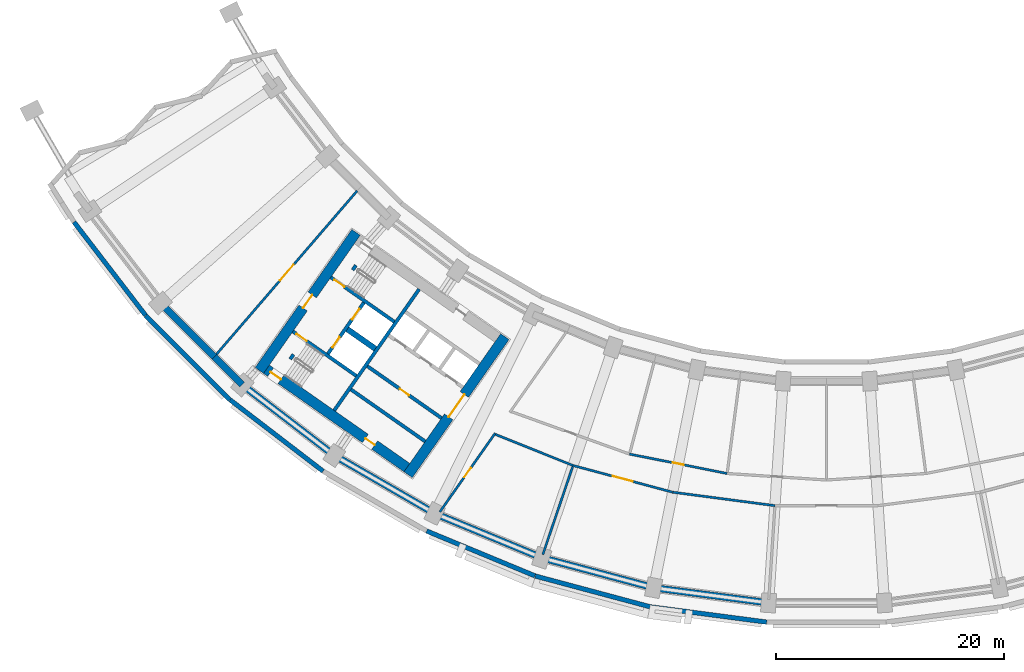
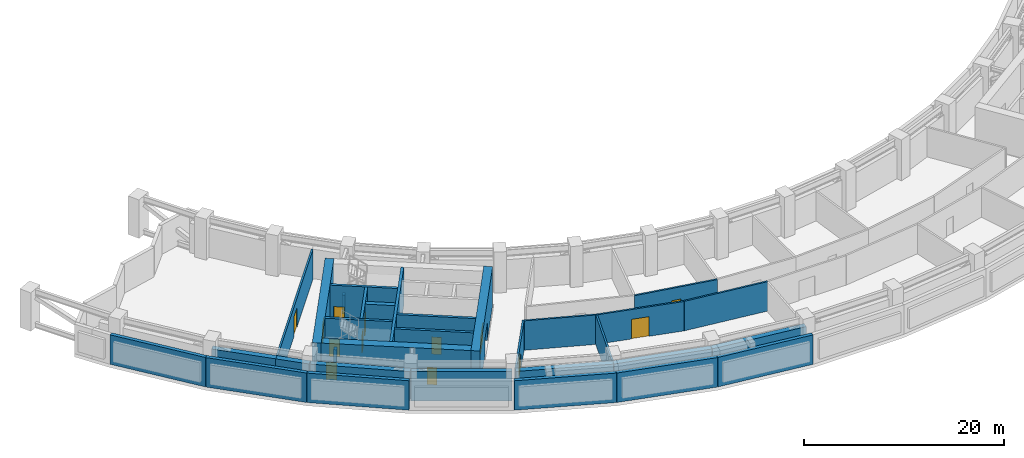
# One storey, part 5 of 25: 32 walls, 13 doors, 13 openings.
"""IFC4 building model written with IfcOpenShell, lengths in metres."""

from ifc_helpers import new_model, si_unit, direction, frame, frame_2d, origin, place, context, subcontext, project, spatial, rectangle, extrude, material, layer, layer_set, type_object, element, fill, save


model = new_model("IFC4")

# Units and contexts
model_context = context("Model", 3, precision=1e-05, world=origin(), true_north=direction((0.0, 1.0)))
body_context = subcontext(model_context, "Body", "Model", "MODEL_VIEW")
ifc_project = project(units=[si_unit("LENGTHUNIT", "METRE"), si_unit("AREAUNIT", "SQUARE_METRE"), si_unit("VOLUMEUNIT", "CUBIC_METRE"), si_unit("PLANEANGLEUNIT", "RADIAN"), si_unit("MASSUNIT", "GRAM", prefix="KILO")], contexts=[model_context])

# Site, building, storey
site_placement = place(None, origin())
site = spatial("IfcSite", under=ifc_project, at=site_placement, CompositionType="ELEMENT")
building_placement = place(site_placement, origin())
building = spatial("IfcBuilding", under=site, at=building_placement, Name="Qamariyya Broadcast Tower", CompositionType="ELEMENT")
storey_placement = place(building_placement, frame((0.0, 0.0, 89.89990234375)))
storey = spatial("IfcBuildingStorey", under=building, at=storey_placement, Name="L19", CompositionType="ELEMENT", Elevation=89.89990234375)

# Wall, opening, door
ifc_material_1 = material(Name="Concrete C70/85", Category="concrete")
ifc_layer_1 = layer(ifc_material_1, 0.89990234375)
ifc_layer_set_1 = layer_set([ifc_layer_1], Name="Core wall 900 mm Concrete C70/85")
wall_type_1 = type_object("IfcWallType", Name="Core wall 900 mm Concrete C70/85", PredefinedType="SHEAR", material=ifc_layer_set_1)
wall_1_placement = place(storey_placement, frame((-36.716796875, -66.3369140625, 0.0), z_axis=(0.0, 0.0, 1.0), x_axis=(0.573577477574, 0.819151315216, 0.0)))
wall_1 = element("IfcWall", 1, at=wall_1_placement, inside=storey, type_object=wall_type_1, Name="k-W-L19-WA", PredefinedType="SHEAR", context=body_context, shape_type="SweptSolid", body=[
    extrude(rectangle(XDim=14.800048828125, YDim=0.89990234375, at=frame_2d((7.39990234375, 0.0))), origin(), (0.0, 0.0, 1.0), 4.7001953125),
])
opening_1_placement = place(wall_1_placement, frame((6.199951171875, 0.0, 0.0)))
opening_1 = element("IfcOpeningElement", 2, at=opening_1_placement, cuts=wall_1, Name="Opening KD3-W1", PredefinedType="OPENING", context=body_context, shape_type="SweptSolid", body=[
    extrude(rectangle(XDim=2.39990234375, YDim=2.10009765625, at=frame_2d((1.199951171875, 1.050048828125))), frame((0.0, 0.4599609375, 0.0), z_axis=(0.0, -1.0, 0.0), x_axis=(1.0, 0.0, 0.0)), (0.0, 0.0, 1.0), 0.919921875),
])
ifc_material_2 = material(Name="Steel fire-resisting door leaf", Category="steel")
door_type_1 = type_object("IfcDoorType", Name="Lift lobby door KD3", OperationType="DOUBLE_DOOR_SINGLE_SWING", PredefinedType="DOOR", material=ifc_material_2)
door_1_placement = place(opening_1_placement, origin())
door_1 = element("IfcDoor", 3, at=door_1_placement, inside=storey, type_object=door_type_1, Name="k-W-L19-WA-D1", OperationType="DOUBLE_DOOR_SINGLE_SWING", OverallHeight=2.10009765625, OverallWidth=2.39990234375, PredefinedType="DOOR", context=body_context, shape_type="SweptSolid", body=[
    extrude(rectangle(XDim=2.39990234375, YDim=2.10009765625, at=frame_2d((1.199951171875, 1.050048828125))), frame((0.0, 0.02490234375, 0.0), z_axis=(0.0, -1.0, 0.0), x_axis=(1.0, 0.0, 0.0)), (0.0, 0.0, 1.0), 0.050048828125),
])
fill(opening_1, door_1)

wall_2_placement = place(storey_placement, frame((-49.778564453125, -57.191162109375, 0.0), z_axis=(0.0, 0.0, 1.0), x_axis=(0.573577477574, 0.819151315216, 0.0)))
wall_2 = element("IfcWall", 4, at=wall_2_placement, inside=storey, type_object=wall_type_1, Name="k-W-L19-WH", PredefinedType="SHEAR", context=body_context, shape_type="SweptSolid", body=[
    extrude(rectangle(XDim=14.800048828125, YDim=0.89990234375, at=frame_2d((7.39990234375, 0.0))), origin(), (0.0, 0.0, 1.0), 4.7001953125),
])
opening_2_placement = place(wall_2_placement, frame((6.699951171875, 0.0, 0.0)))
opening_2 = element("IfcOpeningElement", 5, at=opening_2_placement, cuts=wall_2, Name="Opening KD2-W1", PredefinedType="OPENING", context=body_context, shape_type="SweptSolid", body=[
    extrude(rectangle(XDim=1.39990234375, YDim=2.10009765625, at=frame_2d((0.699951171875, 1.050048828125))), frame((0.0, 0.4599609375, 0.0), z_axis=(0.0, -1.0, 0.0), x_axis=(1.0, 0.0, 0.0)), (0.0, 0.0, 1.0), 0.919921875),
])
door_type_2 = type_object("IfcDoorType", Name="Fire-fighting lobby door KD2", OperationType="DOUBLE_DOOR_SINGLE_SWING", PredefinedType="DOOR", material=ifc_material_2)
door_2_placement = place(opening_2_placement, origin())
door_2 = element("IfcDoor", 6, at=door_2_placement, inside=storey, type_object=door_type_2, Name="k-W-L19-WH-D10", OperationType="DOUBLE_DOOR_SINGLE_SWING", OverallHeight=2.10009765625, OverallWidth=1.39990234375, PredefinedType="DOOR", context=body_context, shape_type="SweptSolid", body=[
    extrude(rectangle(XDim=1.39990234375, YDim=2.10009765625, at=frame_2d((0.699951171875, 1.050048828125))), frame((0.0, 0.02490234375, 0.0), z_axis=(0.0, -1.0, 0.0), x_axis=(1.0, 0.0, 0.0)), (0.0, 0.0, 1.0), 0.050048828125),
])
fill(opening_2, door_2)

# Wall, openings, doors
wall_3_placement = place(storey_placement, frame((-36.827392578125, -65.710205078125, 0.0), z_axis=(0.0, 0.0, 1.0), x_axis=(-0.819153391756, 0.573574511963, 0.0)))
wall_3 = element("IfcWall", 7, at=wall_3_placement, inside=storey, type_object=wall_type_1, Name="k-W-L19-WO", PredefinedType="SHEAR", context=body_context, shape_type="SweptSolid", body=[
    extrude(rectangle(XDim=15.04541015625, YDim=0.89990234375, at=frame_2d((7.522705078125, 0.0))), origin(), (0.0, 0.0, 1.0), 4.7001953125),
])
opening_3_placement = place(wall_3_placement, frame((3.449951171875, 0.0, 0.0)))
opening_3 = element("IfcOpeningElement", 8, at=opening_3_placement, cuts=wall_3, Name="Opening KD4-W3", PredefinedType="OPENING", context=body_context, shape_type="SweptSolid", body=[
    extrude(rectangle(XDim=1.0, YDim=2.10009765625, at=frame_2d((0.5, 1.050048828125))), frame((0.0, 0.4599609375, 0.0), z_axis=(0.0, -1.0, 0.0), x_axis=(1.0, 0.0, 0.0)), (0.0, 0.0, 1.0), 0.919921875),
])
opening_4_placement = place(wall_3_placement, frame((13.495361328125, 0.0, 0.0)))
opening_4 = element("IfcOpeningElement", 9, at=opening_4_placement, cuts=wall_3, Name="Opening KD1-W3", PredefinedType="OPENING", context=body_context, shape_type="SweptSolid", body=[
    extrude(rectangle(XDim=1.10009765625, YDim=2.10009765625, at=frame_2d((0.550048828125, 1.050048828125))), frame((0.0, 0.4599609375, 0.0), z_axis=(0.0, -1.0, 0.0), x_axis=(1.0, 0.0, 0.0)), (0.0, 0.0, 1.0), 0.919921875),
])
door_type_3 = type_object("IfcDoorType", Name="Riser and plant door KD4", OperationType="SINGLE_SWING_LEFT", PredefinedType="DOOR", material=ifc_material_2)
door_3_placement = place(opening_3_placement, origin())
door_3 = element("IfcDoor", 10, at=door_3_placement, inside=storey, type_object=door_type_3, Name="k-W-L19-WO-D7", OperationType="SINGLE_SWING_RIGHT", OverallHeight=2.10009765625, OverallWidth=1.0, PredefinedType="DOOR", context=body_context, shape_type="SweptSolid", body=[
    extrude(rectangle(XDim=1.0, YDim=2.10009765625, at=frame_2d((0.5, 1.050048828125))), frame((0.0, 0.02490234375, 0.0), z_axis=(0.0, -1.0, 0.0), x_axis=(1.0, 0.0, 0.0)), (0.0, 0.0, 1.0), 0.050048828125),
])
fill(opening_3, door_3)
door_type_4 = type_object("IfcDoorType", Name="Stair door KD1", OperationType="SINGLE_SWING_LEFT", PredefinedType="DOOR", material=ifc_material_2)
door_4_placement = place(opening_4_placement, origin())
door_4 = element("IfcDoor", 11, at=door_4_placement, inside=storey, type_object=door_type_4, Name="k-W-L19-WO-D13", OperationType="SINGLE_SWING_LEFT", OverallHeight=2.10009765625, OverallWidth=1.10009765625, PredefinedType="DOOR", context=body_context, shape_type="SweptSolid", body=[
    extrude(rectangle(XDim=1.10009765625, YDim=2.10009765625, at=frame_2d((0.550048828125, 1.050048828125))), frame((0.0, 0.02490234375, 0.0), z_axis=(0.0, -1.0, 0.0), x_axis=(1.0, 0.0, 0.0)), (0.0, 0.0, 1.0), 0.050048828125),
])
fill(opening_4, door_4)

# Walls
ifc_material_3 = material(Name="Concrete C60/75", Category="concrete")
ifc_layer_2 = layer(ifc_material_3, 0.5)
ifc_layer_set_2 = layer_set([ifc_layer_2], Name="Fire-fighting lobby divider wall 500 mm Concrete C60/75")
wall_type_2 = type_object("IfcWallType", Name="Fire-fighting lobby divider wall 500 mm Concrete C60/75", PredefinedType="SOLIDWALL", material=ifc_layer_set_2)
wall_4_placement = place(storey_placement, frame((-39.59912109375, -55.28515625, 0.0), z_axis=(0.0, 0.0, 1.0), x_axis=(-0.819136323161, 0.573598887793, 0.0)))
element("IfcWall", 12, at=wall_4_placement, inside=storey, type_object=wall_type_2, Name="k-W-L19-FD", PredefinedType="SOLIDWALL", context=body_context, shape_type="SweptSolid", body=[
    extrude(rectangle(XDim=2.999755859375, YDim=0.5, at=frame_2d((1.5, 0.0))), origin(), (0.0, 0.0, 1.0), 4.7001953125),
])
ifc_layer_3 = layer(ifc_material_3, 0.300048828125)
ifc_layer_set_3 = layer_set([ifc_layer_3], Name="Lift shaft wall 300 mm Concrete C60/75")
wall_type_3 = type_object("IfcWallType", Name="Lift shaft wall 300 mm Concrete C60/75", PredefinedType="SOLIDWALL", material=ifc_layer_set_3)
wall_5_placement = place(storey_placement, frame((-43.204345703125, -60.69580078125, 0.0), z_axis=(0.0, 0.0, 1.0), x_axis=(0.573571992966, 0.819155155563, 0.0)))
element("IfcWall", 13, at=wall_5_placement, inside=storey, type_object=wall_type_3, Name="k-W-L19-WL", PredefinedType="SOLIDWALL", context=body_context, shape_type="SweptSolid", body=[
    extrude(rectangle(XDim=13.000244140625, YDim=0.300048828125, at=frame_2d((6.5, 0.0))), origin(), (0.0, 0.0, 1.0), 4.7001953125),
])

# Wall, opening, door
wall_6_placement = place(storey_placement, frame((-33.787353515625, -61.368896484375, 0.0), z_axis=(0.0, 0.0, 1.0), x_axis=(-0.819152564888, 0.573575692858, 0.0)))
wall_6 = element("IfcWall", 14, at=wall_6_placement, inside=storey, type_object=wall_type_3, Name="k-W-L19-SF0", PredefinedType="SOLIDWALL", context=body_context, shape_type="SweptSolid", body=[
    extrude(rectangle(XDim=7.9501953125, YDim=0.300048828125, at=frame_2d((3.97509765625, 0.0))), origin(), (0.0, 0.0, 1.0), 4.7001953125),
])
opening_5_placement = place(wall_6_placement, frame((3.47509765625, 0.0, 0.0)))
opening_5 = element("IfcOpeningElement", 15, at=opening_5_placement, cuts=wall_6, Name="Opening KD4-W1", PredefinedType="OPENING", context=body_context, shape_type="SweptSolid", body=[
    extrude(rectangle(XDim=1.0, YDim=2.10009765625, at=frame_2d((0.5, 1.050048828125))), frame((0.0, 0.159912109375, 0.0), z_axis=(0.0, -1.0, 0.0), x_axis=(1.0, 0.0, 0.0)), (0.0, 0.0, 1.0), 0.320068359375),
])
door_5_placement = place(opening_5_placement, origin())
door_5 = element("IfcDoor", 16, at=door_5_placement, inside=storey, type_object=door_type_3, Name="k-W-L19-SF0-D5", OperationType="SINGLE_SWING_RIGHT", OverallHeight=2.10009765625, OverallWidth=1.0, PredefinedType="DOOR", context=body_context, shape_type="SweptSolid", body=[
    extrude(rectangle(XDim=1.0, YDim=2.10009765625, at=frame_2d((0.5, 1.050048828125))), frame((0.0, 0.02490234375, 0.0), z_axis=(0.0, -1.0, 0.0), x_axis=(1.0, 0.0, 0.0)), (0.0, 0.0, 1.0), 0.050048828125),
])
fill(opening_5, door_5)

# Wall
wall_7_placement = place(storey_placement, frame((-35.22119140625, -63.41650390625, 0.0), z_axis=(0.0, 0.0, 1.0), x_axis=(-0.819166993208, 0.573555086491, 0.0)))
element("IfcWall", 17, at=wall_7_placement, inside=storey, type_object=wall_type_3, Name="k-W-L19-SB0", PredefinedType="SOLIDWALL", context=body_context, shape_type="SweptSolid", body=[
    extrude(rectangle(XDim=7.9501953125, YDim=0.300048828125, at=frame_2d((3.97509765625, 0.0))), origin(), (0.0, 0.0, 1.0), 4.7001953125),
])

# Wall, opening, door
wall_8_placement = place(storey_placement, frame((-37.935546875, -52.90966796875, 0.0), z_axis=(0.0, 0.0, 1.0), x_axis=(-0.819147518138, 0.57358290031, 0.0)))
wall_8 = element("IfcWall", 18, at=wall_8_placement, inside=storey, type_object=wall_type_3, Name="k-W-L19-NW", PredefinedType="SOLIDWALL", context=body_context, shape_type="SweptSolid", body=[
    extrude(rectangle(XDim=6.79541015625, YDim=0.300048828125, at=frame_2d((3.397705078125, 0.0))), origin(), (0.0, 0.0, 1.0), 4.7001953125),
])
opening_6_placement = place(wall_8_placement, frame((5.3203125, 0.0, 0.0)))
opening_6 = element("IfcOpeningElement", 19, at=opening_6_placement, cuts=wall_8, Name="Opening KD1-W2", PredefinedType="OPENING", context=body_context, shape_type="SweptSolid", body=[
    extrude(rectangle(XDim=1.10009765625, YDim=2.10009765625, at=frame_2d((0.550048828125, 1.050048828125))), frame((0.0, 0.159912109375, 0.0), z_axis=(0.0, -1.0, 0.0), x_axis=(1.0, 0.0, 0.0)), (0.0, 0.0, 1.0), 0.320068359375),
])
door_6_placement = place(opening_6_placement, origin())
door_6 = element("IfcDoor", 20, at=door_6_placement, inside=storey, type_object=door_type_4, Name="k-W-L19-NW-D12", OperationType="SINGLE_SWING_LEFT", OverallHeight=2.10009765625, OverallWidth=1.10009765625, PredefinedType="DOOR", context=body_context, shape_type="SweptSolid", body=[
    extrude(rectangle(XDim=1.10009765625, YDim=2.10009765625, at=frame_2d((0.550048828125, 1.050048828125))), frame((0.0, 0.02490234375, 0.0), z_axis=(0.0, -1.0, 0.0), x_axis=(1.0, 0.0, 0.0)), (0.0, 0.0, 1.0), 0.050048828125),
])
fill(opening_6, door_6)

wall_9_placement = place(storey_placement, frame((-41.262451171875, -57.66064453125, 0.0), z_axis=(0.0, 0.0, 1.0), x_axis=(-0.819164398642, 0.573558792102, 0.0)))
wall_9 = element("IfcWall", 21, at=wall_9_placement, inside=storey, type_object=wall_type_3, Name="k-W-L19-SW", PredefinedType="SOLIDWALL", context=body_context, shape_type="SweptSolid", body=[
    extrude(rectangle(XDim=6.795166015625, YDim=0.300048828125, at=frame_2d((3.3974609375, 0.0))), origin(), (0.0, 0.0, 1.0), 4.7001953125),
])
opening_7_placement = place(wall_9_placement, frame((5.3203125, 0.0, 0.0)))
opening_7 = element("IfcOpeningElement", 22, at=opening_7_placement, cuts=wall_9, Name="Opening KD1-W4", PredefinedType="OPENING", context=body_context, shape_type="SweptSolid", body=[
    extrude(rectangle(XDim=1.10009765625, YDim=2.10009765625, at=frame_2d((0.550048828125, 1.050048828125))), frame((0.0, 0.159912109375, 0.0), z_axis=(0.0, -1.0, 0.0), x_axis=(1.0, 0.0, 0.0)), (0.0, 0.0, 1.0), 0.320068359375),
])
door_7_placement = place(opening_7_placement, origin())
door_7 = element("IfcDoor", 23, at=door_7_placement, inside=storey, type_object=door_type_4, Name="k-W-L19-SW-D14", OperationType="SINGLE_SWING_LEFT", OverallHeight=2.10009765625, OverallWidth=1.10009765625, PredefinedType="DOOR", context=body_context, shape_type="SweptSolid", body=[
    extrude(rectangle(XDim=1.10009765625, YDim=2.10009765625, at=frame_2d((0.550048828125, 1.050048828125))), frame((0.0, 0.02490234375, 0.0), z_axis=(0.0, -1.0, 0.0), x_axis=(1.0, 0.0, 0.0)), (0.0, 0.0, 1.0), 0.050048828125),
])
fill(opening_7, door_7)

# Wall, openings, doors
wall_10_placement = place(storey_placement, frame((-43.756591796875, -55.731201171875, 0.0), z_axis=(0.0, 0.0, 1.0), x_axis=(0.573536818435, 0.819179783625, 0.0)))
wall_10 = element("IfcWall", 24, at=wall_10_placement, inside=storey, type_object=wall_type_3, Name="k-W-L19-FF", PredefinedType="SOLIDWALL", context=body_context, shape_type="SweptSolid", body=[
    extrude(rectangle(XDim=5.500244140625, YDim=0.300048828125, at=frame_2d((2.75, 0.0))), origin(), (0.0, 0.0, 1.0), 4.7001953125),
])
opening_8_placement = place(wall_10_placement, frame((0.699951171875, 0.0, 0.0)))
opening_8 = element("IfcOpeningElement", 25, at=opening_8_placement, cuts=wall_10, Name="Opening LD", PredefinedType="OPENING", context=body_context, shape_type="SweptSolid", body=[
    extrude(rectangle(XDim=1.10009765625, YDim=2.10009765625, at=frame_2d((0.550048828125, 1.050048828125))), frame((0.0, 0.159912109375, 0.0), z_axis=(0.0, -1.0, 0.0), x_axis=(1.0, 0.0, 0.0)), (0.0, 0.0, 1.0), 0.320068359375),
])
opening_9_placement = place(wall_10_placement, frame((3.699951171875, 0.0, 0.0)))
opening_9 = element("IfcOpeningElement", 26, at=opening_9_placement, cuts=wall_10, Name="Opening LD", PredefinedType="OPENING", context=body_context, shape_type="SweptSolid", body=[
    extrude(rectangle(XDim=1.10009765625, YDim=2.10009765625, at=frame_2d((0.550048828125, 1.050048828125))), frame((0.0, 0.159912109375, 0.0), z_axis=(0.0, -1.0, 0.0), x_axis=(1.0, 0.0, 0.0)), (0.0, 0.0, 1.0), 0.320068359375),
])
door_type_5 = type_object("IfcDoorType", Name="Lift landing door LD", OperationType="DOUBLE_DOOR_SLIDING", PredefinedType="DOOR", material=ifc_material_2)
door_8_placement = place(opening_8_placement, origin())
door_8 = element("IfcDoor", 27, at=door_8_placement, inside=storey, type_object=door_type_5, Name="k-W-L19-FF-D8", OperationType="DOUBLE_DOOR_SLIDING", OverallHeight=2.10009765625, OverallWidth=1.10009765625, PredefinedType="DOOR", context=body_context, shape_type="SweptSolid", body=[
    extrude(rectangle(XDim=1.10009765625, YDim=2.10009765625, at=frame_2d((0.550048828125, 1.050048828125))), frame((0.0, 0.02490234375, 0.0), z_axis=(0.0, -1.0, 0.0), x_axis=(1.0, 0.0, 0.0)), (0.0, 0.0, 1.0), 0.050048828125),
])
fill(opening_8, door_8)
door_9_placement = place(opening_9_placement, origin())
door_9 = element("IfcDoor", 28, at=door_9_placement, inside=storey, type_object=door_type_5, Name="k-W-L19-FF-D9", OperationType="DOUBLE_DOOR_SLIDING", OverallHeight=2.10009765625, OverallWidth=1.10009765625, PredefinedType="DOOR", context=body_context, shape_type="SweptSolid", body=[
    extrude(rectangle(XDim=1.10009765625, YDim=2.10009765625, at=frame_2d((0.550048828125, 1.050048828125))), frame((0.0, 0.02490234375, 0.0), z_axis=(0.0, -1.0, 0.0), x_axis=(1.0, 0.0, 0.0)), (0.0, 0.0, 1.0), 0.050048828125),
])
fill(opening_9, door_9)

# Walls
wall_11_placement = place(storey_placement, frame((-41.5869140625, -48.369140625, 0.0), z_axis=(0.0, 0.0, 1.0), x_axis=(0.573495128918, 0.819208970354, 0.0)))
element("IfcWall", 29, at=wall_11_placement, inside=storey, type_object=wall_type_3, Name="k-W-L19-W2PR", PredefinedType="SOLIDWALL", context=body_context, shape_type="SweptSolid", body=[
    extrude(rectangle(XDim=0.499755859375, YDim=0.300048828125, at=frame_2d((0.25, 0.0))), origin(), (0.0, 0.0, 1.0), 2.300048828125),
])
wall_12_placement = place(storey_placement, frame((-47.064697265625, -56.19189453125, 0.0), z_axis=(0.0, 0.0, 1.0), x_axis=(0.573822822947, 0.818979467304, 0.0)))
element("IfcWall", 30, at=wall_12_placement, inside=storey, type_object=wall_type_3, Name="k-W-L19-W1PR", PredefinedType="SOLIDWALL", context=body_context, shape_type="SweptSolid", body=[
    extrude(rectangle(XDim=0.5, YDim=0.300048828125, at=frame_2d((0.25, 0.0))), origin(), (0.0, 0.0, 1.0), 2.300048828125),
])

# Wall, opening, door
ifc_material_4 = material(Name="Masonry block wall", Category="masonry")
ifc_layer_4 = layer(ifc_material_4, 0.199951171875)
ifc_layer_set_4 = layer_set([ifc_layer_4], Name="Plant room wall 200 EI 120")
wall_type_4 = type_object("IfcWallType", Name="Plant room wall 200 EI 120", PredefinedType="PARTITIONING", material=ifc_layer_set_4)
wall_13_placement = place(storey_placement, frame((-53.536376953125, -55.76025390625, 0.0), z_axis=(0.0, 0.0, 1.0), x_axis=(0.652481130337, 0.757804971318, 0.0)))
wall_13 = element("IfcWall", 31, at=wall_13_placement, inside=storey, type_object=wall_type_4, Name="Partition L19-010", PredefinedType="PARTITIONING", context=body_context, shape_type="SweptSolid", body=[
    extrude(rectangle(XDim=18.91259765625, YDim=0.199951171875, at=frame_2d((9.456298828125, 0.0))), origin(), (0.0, 0.0, 1.0), 3.60009765625),
])
opening_10_placement = place(wall_13_placement, frame((8.55615234375, 0.0, 0.0)))
opening_10 = element("IfcOpeningElement", 32, at=opening_10_placement, cuts=wall_13, Name="Opening L19-D11", PredefinedType="OPENING", context=body_context, shape_type="SweptSolid", body=[
    extrude(rectangle(XDim=1.800048828125, YDim=2.39990234375, at=frame_2d((0.89990234375, 1.199951171875))), frame((0.0, 0.10986328125, 0.0), z_axis=(0.0, -1.0, 0.0), x_axis=(1.0, 0.0, 0.0)), (0.0, 0.0, 1.0), 0.219970703125),
])
ifc_material_5 = material(Name="Insulated metal door leaf")
door_type_6 = type_object("IfcDoorType", Name="Plant double door 1800 x 2400 FD120", OperationType="NOTDEFINED", PredefinedType="DOOR", material=ifc_material_5)
door_10_placement = place(opening_10_placement, origin())
door_10 = element("IfcDoor", 33, at=door_10_placement, inside=storey, type_object=door_type_6, Name="Door L19-D11", OperationType="DOUBLE_DOOR_SINGLE_SWING", OverallHeight=2.39990234375, OverallWidth=1.800048828125, PredefinedType="DOOR", context=body_context, shape_type="SweptSolid", body=[
    extrude(rectangle(XDim=1.800048828125, YDim=2.39990234375, at=frame_2d((0.89990234375, 1.199951171875))), frame((0.0, 0.02490234375, 0.0), z_axis=(0.0, -1.0, 0.0), x_axis=(1.0, 0.0, 0.0)), (0.0, 0.0, 1.0), 0.050048828125),
])
fill(opening_10, door_10)

wall_14_placement = place(storey_placement, frame((-29.073486328125, -62.687744140625, 0.0), z_axis=(0.0, 0.0, 1.0), x_axis=(-0.575412564813, -0.817863301693, 0.0)))
wall_14 = element("IfcWall", 34, at=wall_14_placement, inside=storey, type_object=wall_type_4, Name="Partition L19-015", PredefinedType="PARTITIONING", context=body_context, shape_type="SweptSolid", body=[
    extrude(rectangle(XDim=8.45361328125, YDim=0.199951171875, at=frame_2d((4.226806640625, 0.0))), origin(), (0.0, 0.0, 1.0), 3.60009765625),
])
opening_11_placement = place(wall_14_placement, frame((3.726806640625, 0.0, 0.0)))
opening_11 = element("IfcOpeningElement", 35, at=opening_11_placement, cuts=wall_14, Name="Opening L19-D01", PredefinedType="OPENING", context=body_context, shape_type="SweptSolid", body=[
    extrude(rectangle(XDim=1.0, YDim=2.10009765625, at=frame_2d((0.5, 1.050048828125))), frame((0.0, 0.10986328125, 0.0), z_axis=(0.0, -1.0, 0.0), x_axis=(1.0, 0.0, 0.0)), (0.0, 0.0, 1.0), 0.219970703125),
])
door_type_7 = type_object("IfcDoorType", Name="Plant door 1000 x 2100 FD120", OperationType="NOTDEFINED", PredefinedType="DOOR", material=ifc_material_5)
door_11_placement = place(opening_11_placement, origin())
door_11 = element("IfcDoor", 36, at=door_11_placement, inside=storey, type_object=door_type_7, Name="Door L19-D01", OperationType="SINGLE_SWING_RIGHT", OverallHeight=2.10009765625, OverallWidth=1.0, PredefinedType="DOOR", context=body_context, shape_type="SweptSolid", body=[
    extrude(rectangle(XDim=1.0, YDim=2.10009765625, at=frame_2d((0.5, 1.050048828125))), frame((0.0, 0.02490234375, 0.0), z_axis=(0.0, -1.0, 0.0), x_axis=(1.0, 0.0, 0.0)), (0.0, 0.0, 1.0), 0.050048828125),
])
fill(opening_11, door_11)

# Walls
wall_15_placement = place(storey_placement, frame((-29.0380859375, -62.806884765625, 0.0), z_axis=(0.0, 0.0, 1.0), x_axis=(0.928338595819, -0.371735728056, 0.0)))
element("IfcWall", 37, at=wall_15_placement, inside=storey, type_object=wall_type_4, Name="Partition L19-016", PredefinedType="PARTITIONING", context=body_context, shape_type="SweptSolid", body=[
    extrude(rectangle(XDim=7.31884765625, YDim=0.199951171875, at=frame_2d((3.659423828125, 0.0))), origin(), (0.0, 0.0, 1.0), 3.60009765625),
])
wall_16_placement = place(storey_placement, frame((-24.8955078125, -73.33984375, 0.0), z_axis=(0.0, 0.0, 1.0), x_axis=(0.321453202328, 0.946925466292, 0.0)))
element("IfcWall", 38, at=wall_16_placement, inside=storey, type_object=wall_type_4, Name="Partition L19-019", PredefinedType="PARTITIONING", context=body_context, shape_type="SweptSolid", body=[
    extrude(rectangle(XDim=8.150146484375, YDim=0.199951171875, at=frame_2d((4.0751953125, 0.0))), origin(), (0.0, 0.0, 1.0), 3.60009765625),
])

# Wall, opening, door
wall_17_placement = place(storey_placement, frame((-13.509521484375, -67.867919921875, 0.0), z_axis=(0.0, 0.0, 1.0), x_axis=(-0.965925032209, 0.258822008631, 0.0)))
wall_17 = element("IfcWall", 39, at=wall_17_placement, inside=storey, type_object=wall_type_4, Name="Partition L19-023", PredefinedType="PARTITIONING", context=body_context, shape_type="SweptSolid", body=[
    extrude(rectangle(XDim=9.042236328125, YDim=0.199951171875, at=frame_2d((4.52099609375, 0.0))), origin(), (0.0, 0.0, 1.0), 3.60009765625),
])
opening_12_placement = place(wall_17_placement, frame((3.62109375, 0.0, 0.0)))
opening_12 = element("IfcOpeningElement", 40, at=opening_12_placement, cuts=wall_17, Name="Opening L19-D02", PredefinedType="OPENING", context=body_context, shape_type="SweptSolid", body=[
    extrude(rectangle(XDim=1.800048828125, YDim=2.39990234375, at=frame_2d((0.89990234375, 1.199951171875))), frame((0.0, 0.10986328125, 0.0), z_axis=(0.0, -1.0, 0.0), x_axis=(1.0, 0.0, 0.0)), (0.0, 0.0, 1.0), 0.219970703125),
])
door_12_placement = place(opening_12_placement, origin())
door_12 = element("IfcDoor", 41, at=door_12_placement, inside=storey, type_object=door_type_6, Name="Door L19-D02", OperationType="DOUBLE_DOOR_SINGLE_SWING", OverallHeight=2.39990234375, OverallWidth=1.800048828125, PredefinedType="DOOR", context=body_context, shape_type="SweptSolid", body=[
    extrude(rectangle(XDim=1.800048828125, YDim=2.39990234375, at=frame_2d((0.89990234375, 1.199951171875))), frame((0.0, 0.02490234375, 0.0), z_axis=(0.0, -1.0, 0.0), x_axis=(1.0, 0.0, 0.0)), (0.0, 0.0, 1.0), 0.050048828125),
])
fill(opening_12, door_12)

wall_18_placement = place(storey_placement, frame((-17.2890625, -64.52392578125, 0.0), z_axis=(0.0, 0.0, 1.0), x_axis=(0.980786466832, -0.195084357342, 0.0)))
wall_18 = element("IfcWall", 42, at=wall_18_placement, inside=storey, type_object=wall_type_4, Name="Partition L19-025", PredefinedType="PARTITIONING", context=body_context, shape_type="SweptSolid", body=[
    extrude(rectangle(XDim=8.73779296875, YDim=0.199951171875, at=frame_2d((4.368896484375, 0.0))), origin(), (0.0, 0.0, 1.0), 3.60009765625),
])
opening_13_placement = place(wall_18_placement, frame((3.868896484375, 0.0, 0.0)))
opening_13 = element("IfcOpeningElement", 43, at=opening_13_placement, cuts=wall_18, Name="Opening L19-D07", PredefinedType="OPENING", context=body_context, shape_type="SweptSolid", body=[
    extrude(rectangle(XDim=1.0, YDim=2.10009765625, at=frame_2d((0.5, 1.050048828125))), frame((0.0, 0.10986328125, 0.0), z_axis=(0.0, -1.0, 0.0), x_axis=(1.0, 0.0, 0.0)), (0.0, 0.0, 1.0), 0.219970703125),
])
door_13_placement = place(opening_13_placement, origin())
door_13 = element("IfcDoor", 44, at=door_13_placement, inside=storey, type_object=door_type_7, Name="Door L19-D07", OperationType="SINGLE_SWING_RIGHT", OverallHeight=2.10009765625, OverallWidth=1.0, PredefinedType="DOOR", context=body_context, shape_type="SweptSolid", body=[
    extrude(rectangle(XDim=1.0, YDim=2.10009765625, at=frame_2d((0.5, 1.050048828125))), frame((0.0, 0.02490234375, 0.0), z_axis=(0.0, -1.0, 0.0), x_axis=(1.0, 0.0, 0.0)), (0.0, 0.0, 1.0), 0.050048828125),
])
fill(opening_13, door_13)

# Walls
wall_19_placement = place(storey_placement, frame((-13.49072265625, -67.87158203125, 0.0), z_axis=(0.0, 0.0, 1.0), x_axis=(0.991445838679, -0.130518768632, 0.0)))
element("IfcWall", 45, at=wall_19_placement, inside=storey, type_object=wall_type_4, Name="Partition L19-029", PredefinedType="PARTITIONING", context=body_context, shape_type="SweptSolid", body=[
    extrude(rectangle(XDim=9.042236328125, YDim=0.199951171875, at=frame_2d((4.52099609375, 0.0))), origin(), (0.0, 0.0, 1.0), 3.60009765625),
])
ifc_material_6 = material(Name="Terracotta", Category="masonry")
ifc_layer_5 = layer(ifc_material_6, 0.39990234375)
ifc_layer_set_5 = layer_set([ifc_layer_5], Name="Terracotta clad plant wall 400")
wall_type_5 = type_object("IfcWallType", Name="Terracotta clad plant wall 400", PredefinedType="SOLIDWALL", material=ifc_layer_set_5)
wall_20_placement = place(storey_placement, frame((-66.039306640625, -44.16650390625, 0.0), z_axis=(0.0, 0.0, 1.0), x_axis=(0.608759161383, -0.793355080296, 0.0)))
element("IfcWall", 46, at=wall_20_placement, inside=storey, type_object=wall_type_5, Name="e-wl-L19-out10", PredefinedType="SOLIDWALL", context=body_context, shape_type="SweptSolid", body=[
    extrude(rectangle(XDim=10.30810546875, YDim=0.39990234375, at=frame_2d((5.154052734375, 0.0))), origin(), (0.0, 0.0, 1.0), 3.60009765625),
])
wall_21_placement = place(storey_placement, frame((-59.7509765625, -52.366943359375, 0.0), z_axis=(0.0, 0.0, 1.0), x_axis=(0.707106781187, -0.707106781187, 0.0)))
element("IfcWall", 47, at=wall_21_placement, inside=storey, type_object=wall_type_5, Name="e-wl-L19-out20", PredefinedType="SOLIDWALL", context=body_context, shape_type="SweptSolid", body=[
    extrude(rectangle(XDim=10.442626953125, YDim=0.39990234375, at=frame_2d((5.22119140625, 0.0))), origin(), (0.0, 0.0, 1.0), 3.60009765625),
])
for number, where, z_axis, x_axis, name in (
    (48, (-52.344482421875, -59.76416015625, 0.0), (0.0, 0.0, 1.0), (0.793343965595, -0.608773646157, 0.0), "e-wl-L19-out30"),
    (49, (-35.0927734375, -71.275634765625, 0.0), (0.0, 0.0, 1.0), (0.923877173549, -0.382689127353, 0.0), "e-wl-L19-out50"),
):
    element("IfcWall", number, at=place(storey_placement, frame(where, z_axis=z_axis, x_axis=x_axis)), inside=storey, type_object=wall_type_5, Name=name, PredefinedType="SOLIDWALL", context=body_context, shape_type="SweptSolid", body=[
        extrude(rectangle(XDim=10.291015625, YDim=0.39990234375, at=frame_2d((5.1455078125, 0.0))), origin(), (0.0, 0.0, 1.0), 3.60009765625),
    ])
wall_22_placement = place(storey_placement, frame((-25.562255859375, -75.226806640625, 0.0), z_axis=(0.0, 0.0, 1.0), x_axis=(0.965927701805, -0.258812045479, 0.0)))
element("IfcWall", 50, at=wall_22_placement, inside=storey, type_object=wall_type_5, Name="e-wl-L19-out60", PredefinedType="SOLIDWALL", context=body_context, shape_type="SweptSolid", body=[
    extrude(rectangle(XDim=10.4423828125, YDim=0.39990234375, at=frame_2d((5.22119140625, 0.0))), origin(), (0.0, 0.0, 1.0), 3.60009765625),
])
wall_23_placement = place(storey_placement, frame((-15.449462890625, -77.9296875, 0.0), z_axis=(0.0, 0.0, 1.0), x_axis=(0.991444522207, -0.130528768423, 0.0)))
element("IfcWall", 51, at=wall_23_placement, inside=storey, type_object=wall_type_5, Name="e-wl-L19-out70", PredefinedType="SOLIDWALL", context=body_context, shape_type="SweptSolid", body=[
    extrude(rectangle(XDim=10.291015625, YDim=0.39990234375, at=frame_2d((5.1455078125, 0.0))), origin(), (0.0, 0.0, 1.0), 3.60009765625),
])
ifc_layer_6 = layer(ifc_material_4, 0.60009765625)
ifc_layer_set_6 = layer_set([ifc_layer_6], Name="Truss casing wall 600 EI 120")
wall_type_6 = type_object("IfcWallType", Name="Truss casing wall 600 EI 120", PredefinedType="PARTITIONING", material=ifc_layer_set_6)
wall_24_placement = place(storey_placement, frame((-58.439453125, -51.2802734375, 0.0), z_axis=(0.0, 0.0, 1.0), x_axis=(0.707106781187, -0.707106781187, 0.0)))
element("IfcWall", 52, at=wall_24_placement, inside=storey, type_object=wall_type_6, Name="Partition L19-003", PredefinedType="PARTITIONING", context=body_context, shape_type="SweptSolid", body=[
    extrude(rectangle(XDim=6.656982421875, YDim=0.60009765625, at=frame_2d((3.32861328125, 0.0))), origin(), (0.0, 0.0, 1.0), 3.60009765625),
])
wall_25_placement = place(storey_placement, frame((-53.732177734375, -55.987548828125, 0.0), z_axis=(0.0, 0.0, 1.0), x_axis=(0.707106781187, -0.707106781187, 0.0)))
element("IfcWall", 53, at=wall_25_placement, inside=storey, type_object=wall_type_6, Name="Partition L19-004", PredefinedType="PARTITIONING", context=body_context, shape_type="SweptSolid", body=[
    extrude(rectangle(XDim=3.467529296875, YDim=0.60009765625, at=frame_2d((1.73388671875, 0.0))), origin(), (0.0, 0.0, 1.0), 3.60009765625),
])
for number, where, z_axis, x_axis, name in (
    (54, (-51.24609375, -58.46923828125, 0.0), (0.0, 0.0, 1.0), (0.793339659144, -0.608779258212, 0.0), "Partition L19-005"),
    (55, (-43.176025390625, -64.658203125, 0.0), (0.0, 0.0, 1.0), (0.866037016931, -0.4999798849, 0.0), "Partition L19-009"),
):
    element("IfcWall", number, at=place(storey_placement, frame(where, z_axis=z_axis, x_axis=x_axis)), inside=storey, type_object=wall_type_6, Name=name, PredefinedType="PARTITIONING", context=body_context, shape_type="SweptSolid", body=[
        extrude(rectangle(XDim=10.125, YDim=0.60009765625, at=frame_2d((5.0625, 0.0))), origin(), (0.0, 0.0, 1.0), 3.60009765625),
    ])
wall_26_placement = place(storey_placement, frame((-34.1103515625, -69.846923828125, 0.0), z_axis=(0.0, 0.0, 1.0), x_axis=(0.923883575944, -0.382673670509, 0.0)))
element("IfcWall", 56, at=wall_26_placement, inside=storey, type_object=wall_type_6, Name="Partition L19-013", PredefinedType="PARTITIONING", context=body_context, shape_type="SweptSolid", body=[
    extrude(rectangle(XDim=9.86962890625, YDim=0.60009765625, at=frame_2d((4.934814453125, 0.0))), origin(), (0.0, 0.0, 1.0), 3.60009765625),
])
for number, where, z_axis, x_axis, name in (
    (57, (-24.991943359375, -73.623779296875, 0.0), (0.0, 0.0, 1.0), (0.965923565769, -0.258827481333, 0.0), "Partition L19-020"),
    (58, (-15.145751953125, -76.259033203125, 0.0), (0.0, 0.0, 1.0), (0.991445285184, -0.130522973018, 0.0), "Partition L19-026"),
):
    element("IfcWall", number, at=place(storey_placement, frame(where, z_axis=z_axis, x_axis=x_axis)), inside=storey, type_object=wall_type_6, Name=name, PredefinedType="PARTITIONING", context=body_context, shape_type="SweptSolid", body=[
        extrude(rectangle(XDim=10.1474609375, YDim=0.60009765625, at=frame_2d((5.07373046875, 0.0))), origin(), (0.0, 0.0, 1.0), 3.60009765625),
    ])

save(model, "model.ifc")
